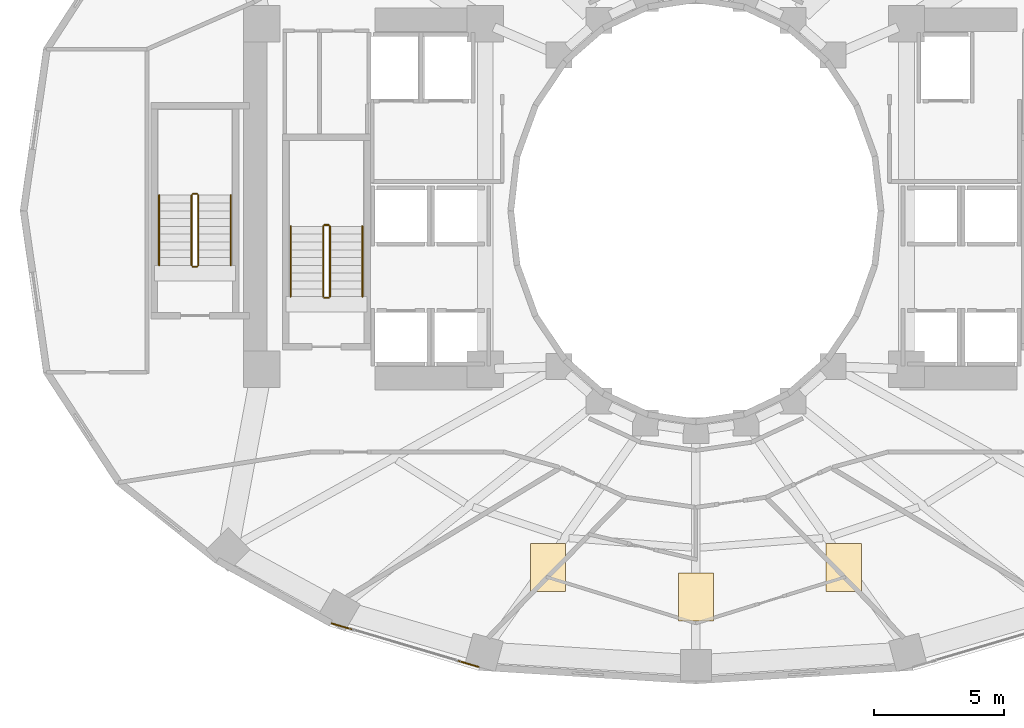
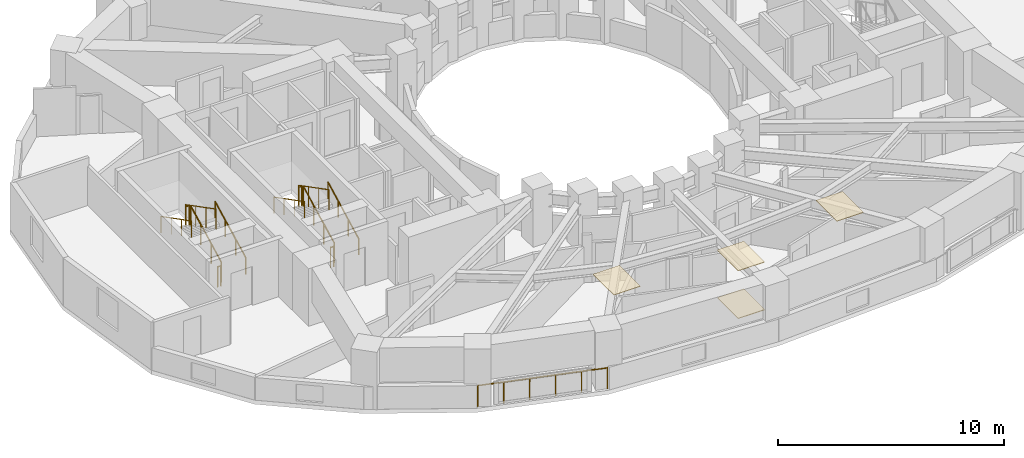
# One storey, part 19 of 22: 13 railings, 4 coverings.
"""IFC4 building model written with IfcOpenShell, lengths in metres."""

from ifc_helpers import new_model, si_unit, direction, frame, origin, origin_2d, place, context, subcontext, project, spatial, polyline, circle, outline, extrude, material, layer, layer_set, type_object, element, save


model = new_model("IFC4")

# Units and contexts
model_context = context("Model", 3, precision=1e-05, world=origin(), true_north=direction((0.0, 1.0)))
body_context = subcontext(model_context, "Body", "Model", "MODEL_VIEW")
ifc_project = project(units=[si_unit("LENGTHUNIT", "METRE"), si_unit("AREAUNIT", "SQUARE_METRE"), si_unit("VOLUMEUNIT", "CUBIC_METRE"), si_unit("PLANEANGLEUNIT", "RADIAN"), si_unit("MASSUNIT", "GRAM", prefix="KILO")], contexts=[model_context])

# Site, building, storey
site_placement = place(None, origin())
site = spatial("IfcSite", under=ifc_project, at=site_placement, CompositionType="ELEMENT")
building_placement = place(site_placement, origin())
building = spatial("IfcBuilding", under=site, at=building_placement, Name="Solvane Sanctuary Tower", CompositionType="ELEMENT")
storey_placement = place(building_placement, frame((0.0, 0.0, 43.10009765625)))
storey = spatial("IfcBuildingStorey", under=building, at=storey_placement, Name="L12", CompositionType="ELEMENT", Elevation=43.10009765625)

# Coverings
ifc_material_1 = material(Name="Acoustic Gypsum Partition Board")
ifc_layer_1 = layer(ifc_material_1, 0.02490234375, Name="Acoustic Gypsum Partition Board")
ifc_layer_set_1 = layer_set([ifc_layer_1], Name="Acoustic Gypsum Partition Board")
covering_type_1 = type_object("IfcCoveringType", Name="Covering CLG-ACOUST", PredefinedType="CEILING", material=ifc_layer_set_1)
covering_1_placement = place(storey_placement, frame((0.0, 0.0, 2.56982421875)))
element("IfcCovering", 1, at=covering_1_placement, inside=storey, type_object=covering_type_1, Name="L12 Unit Acoustic Ceiling Panel 4", PredefinedType="CEILING", context=body_context, shape_type="SweptSolid", body=[
    extrude(outline(polyline([(25.637939453125, 8.345947265625), (26.988037109375, 8.345947265625), (26.988037109375, 10.196044921875), (25.637939453125, 10.196044921875), (25.637939453125, 8.345947265625)])), origin(), (0.0, 0.0, 1.0), 0.030029296875),
])
covering_2_placement = place(storey_placement, frame((0.0, 0.0, 2.56982421875)))
element("IfcCovering", 2, at=covering_2_placement, inside=storey, type_object=covering_type_1, Name="L12 Unit Acoustic Ceiling Panel 5", PredefinedType="CEILING", context=body_context, shape_type="SweptSolid", body=[
    extrude(outline(polyline([(31.324951171875, 7.215087890625), (32.675048828125, 7.215087890625), (32.675048828125, 9.06494140625), (31.324951171875, 9.06494140625), (31.324951171875, 7.215087890625)])), origin(), (0.0, 0.0, 1.0), 0.030029296875),
])
covering_3_placement = place(storey_placement, frame((0.0, 0.0, 2.56982421875)))
element("IfcCovering", 3, at=covering_3_placement, inside=storey, type_object=covering_type_1, Name="L12 Unit Acoustic Ceiling Panel 6", PredefinedType="CEILING", context=body_context, shape_type="SweptSolid", body=[
    extrude(outline(polyline([(37.011962890625, 8.345947265625), (38.362060546875, 8.345947265625), (38.362060546875, 10.196044921875), (37.011962890625, 10.196044921875), (37.011962890625, 8.345947265625)])), origin(), (0.0, 0.0, 1.0), 0.030029296875),
])
ifc_material_2 = material(Name="Ceramic Tile Finish")
ifc_layer_2 = layer(ifc_material_2, 0.030029296875, Name="Ceramic Tile Finish")
ifc_layer_set_2 = layer_set([ifc_layer_2], Name="Ceramic Tile Finish")
covering_type_2 = type_object("IfcCoveringType", Name="Covering FLR-TERRAZZO", PredefinedType="FLOORING", material=ifc_layer_set_2)
covering_4_placement = place(storey_placement, origin())
element("IfcCovering", 4, at=covering_4_placement, inside=storey, type_object=covering_type_2, Name="L12 Unit Terrazzo Inlay 5", PredefinedType="FLOORING", context=body_context, shape_type="SweptSolid", body=[
    extrude(outline(polyline([(31.324951171875, 7.215087890625), (32.675048828125, 7.215087890625), (32.675048828125, 9.06494140625), (31.324951171875, 9.06494140625), (31.324951171875, 7.215087890625)])), origin(), (0.0, 0.0, 1.0), 0.034912109375),
])

# Railings
ifc_material_3 = material(Name="Architectural Stainless Steel 316", Category="steel")
railing_type_1 = type_object("IfcRailingType", Name="Railing GR-BALC-1150", PredefinedType="BALUSTRADE", material=ifc_material_3)
railing_1_placement = place(storey_placement, frame((17.98681640625, 7.12939453125, 0.0)))
element("IfcRailing", 5, at=railing_1_placement, inside=storey, type_object=railing_type_1, Name="L12 Curtain-Wall Perimeter Sill Guard 16", PredefinedType="BALUSTRADE", context=body_context, shape_type="SweptSolid", body=[
    extrude(circle(Radius=0.02392578125, at=origin_2d()), frame((0.0, 0.0, 1.1259765625), z_axis=(0.958844892166, -0.283930401274, 0.0), x_axis=(0.283930401274, 0.958844892166, 0.0)), (0.0, 0.0, 1.0), 5.895263671875),
    extrude(circle(Radius=0.02099609375, at=origin_2d()), origin(), (0.0, 0.0, 1.0), 1.101806640625),
    extrude(circle(Radius=0.02099609375, at=origin_2d()), frame((1.130615234375, -0.334716796875, 0.0)), (0.0, 0.0, 1.0), 1.101806640625),
    extrude(circle(Radius=0.02099609375, at=origin_2d()), frame((2.260986328125, -0.66943359375, 0.0)), (0.0, 0.0, 1.0), 1.101806640625),
    extrude(circle(Radius=0.02099609375, at=origin_2d()), frame((3.3916015625, -1.00439453125, 0.0)), (0.0, 0.0, 1.0), 1.101806640625),
    extrude(circle(Radius=0.02099609375, at=origin_2d()), frame((4.52197265625, -1.339111328125, 0.0)), (0.0, 0.0, 1.0), 1.101806640625),
    extrude(circle(Radius=0.02099609375, at=origin_2d()), frame((5.652587890625, -1.673828125, 0.0)), (0.0, 0.0, 1.0), 1.101806640625),
])
railing_2_placement = place(storey_placement, frame((17.919921875, 19.699951171875, 0.15478515625)))
element("IfcRailing", 6, at=railing_2_placement, inside=storey, type_object=railing_type_1, Name="L12 ST-1 stair guard 1", PredefinedType="BALUSTRADE", context=body_context, shape_type="SweptSolid", body=[
    extrude(circle(Radius=0.02392578125, at=origin_2d()), frame((0.0, 0.0, 1.076171875), z_axis=(0.0, 0.888419900624, 0.459031676658), x_axis=(-1.0, 0.0, 0.0)), (0.0, 0.0, 1.0), 3.0390625),
    extrude(circle(Radius=0.02099609375, at=origin_2d()), origin(), (0.0, 0.0, 1.0), 1.052001953125),
    extrude(circle(Radius=0.02099609375, at=origin_2d()), frame((0.0, 0.89990234375, 0.465087890625)), (0.0, 0.0, 1.0), 1.052001953125),
    extrude(circle(Radius=0.02099609375, at=origin_2d()), frame((0.0, 1.800048828125, 0.929931640625)), (0.0, 0.0, 1.0), 1.052001953125),
    extrude(circle(Radius=0.02099609375, at=origin_2d()), frame((0.0, 2.699951171875, 1.39501953125)), (0.0, 0.0, 1.0), 1.052001953125),
])
railing_3_placement = place(storey_placement, frame((17.8701171875, 22.449951171875, 1.5498046875)))
element("IfcRailing", 7, at=railing_3_placement, inside=storey, type_object=railing_type_1, Name="L12 ST-1 stair guard 2", PredefinedType="BALUSTRADE", context=body_context, shape_type="SweptSolid", body=[
    extrude(circle(Radius=0.02392578125, at=origin_2d()), frame((0.0, 0.0, 1.076171875), z_axis=(-1.0, 0.0, 0.0), x_axis=(0.0, -1.0, 0.0)), (0.0, 0.0, 1.0), 0.16015625),
    extrude(circle(Radius=0.02099609375, at=origin_2d()), origin(), (0.0, 0.0, 1.0), 1.052001953125),
    extrude(circle(Radius=0.02099609375, at=origin_2d()), frame((-0.16015625, 0.0, 0.0)), (0.0, 0.0, 1.0), 1.052001953125),
])
railing_4_placement = place(storey_placement, frame((17.659912109375, 22.39990234375, 1.704833984375)))
element("IfcRailing", 8, at=railing_4_placement, inside=storey, type_object=railing_type_1, Name="L12 ST-1 stair guard 3", PredefinedType="BALUSTRADE", context=body_context, shape_type="SweptSolid", body=[
    extrude(circle(Radius=0.02392578125, at=origin_2d()), frame((0.0, 0.0, 1.076171875), z_axis=(0.0, -0.888419900624, 0.459031676658), x_axis=(1.0, 0.0, 0.0)), (0.0, 0.0, 1.0), 3.0390625),
    extrude(circle(Radius=0.02099609375, at=origin_2d()), origin(), (0.0, 0.0, 1.0), 1.052001953125),
    extrude(circle(Radius=0.02099609375, at=origin_2d()), frame((0.0, -0.89990234375, 0.465087890625)), (0.0, 0.0, 1.0), 1.052001953125),
    extrude(circle(Radius=0.02099609375, at=origin_2d()), frame((0.0, -1.800048828125, 0.929931640625)), (0.0, 0.0, 1.0), 1.052001953125),
    extrude(circle(Radius=0.02099609375, at=origin_2d()), frame((0.0, -2.699951171875, 1.39501953125)), (0.0, 0.0, 1.0), 1.052001953125),
])
railing_5_placement = place(storey_placement, frame((17.8701171875, 19.64990234375, 0.0)))
element("IfcRailing", 9, at=railing_5_placement, inside=storey, type_object=railing_type_1, Name="L12 ST-1 stair guard 4", PredefinedType="BALUSTRADE", context=body_context, shape_type="SweptSolid", body=[
    extrude(circle(Radius=0.02392578125, at=origin_2d()), frame((0.0, 0.0, 1.076171875), z_axis=(-1.0, 0.0, 0.0), x_axis=(0.0, -1.0, 0.0)), (0.0, 0.0, 1.0), 0.16015625),
    extrude(circle(Radius=0.02099609375, at=origin_2d()), origin(), (0.0, 0.0, 1.0), 1.052001953125),
    extrude(circle(Radius=0.02099609375, at=origin_2d()), frame((-0.16015625, 0.0, 0.0)), (0.0, 0.0, 1.0), 1.052001953125),
])
railing_6_placement = place(storey_placement, frame((12.860107421875, 20.89990234375, 0.15478515625)))
element("IfcRailing", 10, at=railing_6_placement, inside=storey, type_object=railing_type_1, Name="L12 ST-3 stair guard 1", PredefinedType="BALUSTRADE", context=body_context, shape_type="SweptSolid", body=[
    extrude(circle(Radius=0.02392578125, at=origin_2d()), frame((0.0, 0.0, 1.076171875), z_axis=(0.0, 0.888436826113, 0.458998917216), x_axis=(-1.0, 0.0, 0.0)), (0.0, 0.0, 1.0), 3.039306640625),
    extrude(circle(Radius=0.02099609375, at=origin_2d()), origin(), (0.0, 0.0, 1.0), 1.052001953125),
    extrude(circle(Radius=0.02099609375, at=origin_2d()), frame((0.0, 0.900146484375, 0.465087890625)), (0.0, 0.0, 1.0), 1.052001953125),
    extrude(circle(Radius=0.02099609375, at=origin_2d()), frame((0.0, 1.800048828125, 0.929931640625)), (0.0, 0.0, 1.0), 1.052001953125),
    extrude(circle(Radius=0.02099609375, at=origin_2d()), frame((0.0, 2.7001953125, 1.39501953125)), (0.0, 0.0, 1.0), 1.052001953125),
])
railing_7_placement = place(storey_placement, frame((12.81005859375, 23.64990234375, 1.5498046875)))
element("IfcRailing", 11, at=railing_7_placement, inside=storey, type_object=railing_type_1, Name="L12 ST-3 stair guard 2", PredefinedType="BALUSTRADE", context=body_context, shape_type="SweptSolid", body=[
    extrude(circle(Radius=0.02392578125, at=origin_2d()), frame((0.0, 0.0, 1.076171875), z_axis=(-1.0, 0.0, 0.0), x_axis=(0.0, -1.0, 0.0)), (0.0, 0.0, 1.0), 0.16015625),
    extrude(circle(Radius=0.02099609375, at=origin_2d()), origin(), (0.0, 0.0, 1.0), 1.052001953125),
    extrude(circle(Radius=0.02099609375, at=origin_2d()), frame((-0.16015625, 0.0, 0.0)), (0.0, 0.0, 1.0), 1.052001953125),
])
railing_8_placement = place(storey_placement, frame((12.60009765625, 23.60009765625, 1.704833984375)))
element("IfcRailing", 12, at=railing_8_placement, inside=storey, type_object=railing_type_1, Name="L12 ST-3 stair guard 3", PredefinedType="BALUSTRADE", context=body_context, shape_type="SweptSolid", body=[
    extrude(circle(Radius=0.02392578125, at=origin_2d()), frame((0.0, 0.0, 1.076171875), z_axis=(0.0, -0.888436826113, 0.458998917216), x_axis=(1.0, 0.0, 0.0)), (0.0, 0.0, 1.0), 3.039306640625),
    extrude(circle(Radius=0.02099609375, at=origin_2d()), origin(), (0.0, 0.0, 1.0), 1.052001953125),
    extrude(circle(Radius=0.02099609375, at=origin_2d()), frame((0.0, -0.900146484375, 0.465087890625)), (0.0, 0.0, 1.0), 1.052001953125),
    extrude(circle(Radius=0.02099609375, at=origin_2d()), frame((0.0, -1.800048828125, 0.929931640625)), (0.0, 0.0, 1.0), 1.052001953125),
    extrude(circle(Radius=0.02099609375, at=origin_2d()), frame((0.0, -2.7001953125, 1.39501953125)), (0.0, 0.0, 1.0), 1.052001953125),
])
railing_9_placement = place(storey_placement, frame((12.81005859375, 20.85009765625, 0.0)))
element("IfcRailing", 13, at=railing_9_placement, inside=storey, type_object=railing_type_1, Name="L12 ST-3 stair guard 4", PredefinedType="BALUSTRADE", context=body_context, shape_type="SweptSolid", body=[
    extrude(circle(Radius=0.02392578125, at=origin_2d()), frame((0.0, 0.0, 1.076171875), z_axis=(-1.0, 0.0, 0.0), x_axis=(0.0, -1.0, 0.0)), (0.0, 0.0, 1.0), 0.16015625),
    extrude(circle(Radius=0.02099609375, at=origin_2d()), origin(), (0.0, 0.0, 1.0), 1.052001953125),
    extrude(circle(Radius=0.02099609375, at=origin_2d()), frame((-0.16015625, 0.0, 0.0)), (0.0, 0.0, 1.0), 1.052001953125),
])
railing_type_2 = type_object("IfcRailingType", Name="Railing HR-STAIR-920", PredefinedType="HANDRAIL", material=ifc_material_3)
railing_10_placement = place(storey_placement, frame((19.169921875, 19.699951171875, 0.15478515625)))
element("IfcRailing", 14, at=railing_10_placement, inside=storey, type_object=railing_type_2, Name="L12 ST-1 stair handrail 1", PredefinedType="HANDRAIL", context=body_context, shape_type="SweptSolid", body=[
    extrude(circle(Radius=0.02392578125, at=origin_2d()), frame((0.0, 0.0, 0.8759765625), z_axis=(0.0, 0.888419900624, 0.459031676658), x_axis=(-1.0, 0.0, 0.0)), (0.0, 0.0, 1.0), 3.0390625),
    extrude(circle(Radius=0.02099609375, at=origin_2d()), origin(), (0.0, 0.0, 1.0), 0.851806640625),
    extrude(circle(Radius=0.02099609375, at=origin_2d()), frame((0.0, 0.89990234375, 0.465087890625)), (0.0, 0.0, 1.0), 0.851806640625),
    extrude(circle(Radius=0.02099609375, at=origin_2d()), frame((0.0, 1.800048828125, 0.929931640625)), (0.0, 0.0, 1.0), 0.851806640625),
    extrude(circle(Radius=0.02099609375, at=origin_2d()), frame((0.0, 2.699951171875, 1.39501953125)), (0.0, 0.0, 1.0), 0.851806640625),
])
railing_11_placement = place(storey_placement, frame((16.409912109375, 22.39990234375, 1.704833984375)))
element("IfcRailing", 15, at=railing_11_placement, inside=storey, type_object=railing_type_2, Name="L12 ST-1 stair handrail 2", PredefinedType="HANDRAIL", context=body_context, shape_type="SweptSolid", body=[
    extrude(circle(Radius=0.02392578125, at=origin_2d()), frame((0.0, 0.0, 0.8759765625), z_axis=(0.0, -0.888419900624, 0.459031676658), x_axis=(1.0, 0.0, 0.0)), (0.0, 0.0, 1.0), 3.0390625),
    extrude(circle(Radius=0.02099609375, at=origin_2d()), origin(), (0.0, 0.0, 1.0), 0.851806640625),
    extrude(circle(Radius=0.02099609375, at=origin_2d()), frame((0.0, -0.89990234375, 0.465087890625)), (0.0, 0.0, 1.0), 0.851806640625),
    extrude(circle(Radius=0.02099609375, at=origin_2d()), frame((0.0, -1.800048828125, 0.929931640625)), (0.0, 0.0, 1.0), 0.851806640625),
    extrude(circle(Radius=0.02099609375, at=origin_2d()), frame((0.0, -2.699951171875, 1.39501953125)), (0.0, 0.0, 1.0), 0.851806640625),
])
railing_12_placement = place(storey_placement, frame((14.110107421875, 20.89990234375, 0.15478515625)))
element("IfcRailing", 16, at=railing_12_placement, inside=storey, type_object=railing_type_2, Name="L12 ST-3 stair handrail 1", PredefinedType="HANDRAIL", context=body_context, shape_type="SweptSolid", body=[
    extrude(circle(Radius=0.02392578125, at=origin_2d()), frame((0.0, 0.0, 0.8759765625), z_axis=(0.0, 0.888436826113, 0.458998917216), x_axis=(-1.0, 0.0, 0.0)), (0.0, 0.0, 1.0), 3.039306640625),
    extrude(circle(Radius=0.02099609375, at=origin_2d()), origin(), (0.0, 0.0, 1.0), 0.851806640625),
    extrude(circle(Radius=0.02099609375, at=origin_2d()), frame((0.0, 0.900146484375, 0.465087890625)), (0.0, 0.0, 1.0), 0.851806640625),
    extrude(circle(Radius=0.02099609375, at=origin_2d()), frame((0.0, 1.800048828125, 0.929931640625)), (0.0, 0.0, 1.0), 0.851806640625),
    extrude(circle(Radius=0.02099609375, at=origin_2d()), frame((0.0, 2.7001953125, 1.39501953125)), (0.0, 0.0, 1.0), 0.851806640625),
])
railing_13_placement = place(storey_placement, frame((11.35009765625, 23.60009765625, 1.704833984375)))
element("IfcRailing", 17, at=railing_13_placement, inside=storey, type_object=railing_type_2, Name="L12 ST-3 stair handrail 2", PredefinedType="HANDRAIL", context=body_context, shape_type="SweptSolid", body=[
    extrude(circle(Radius=0.02392578125, at=origin_2d()), frame((0.0, 0.0, 0.8759765625), z_axis=(0.0, -0.888436826113, 0.458998917216), x_axis=(1.0, 0.0, 0.0)), (0.0, 0.0, 1.0), 3.039306640625),
    extrude(circle(Radius=0.02099609375, at=origin_2d()), origin(), (0.0, 0.0, 1.0), 0.851806640625),
    extrude(circle(Radius=0.02099609375, at=origin_2d()), frame((0.0, -0.900146484375, 0.465087890625)), (0.0, 0.0, 1.0), 0.851806640625),
    extrude(circle(Radius=0.02099609375, at=origin_2d()), frame((0.0, -1.800048828125, 0.929931640625)), (0.0, 0.0, 1.0), 0.851806640625),
    extrude(circle(Radius=0.02099609375, at=origin_2d()), frame((0.0, -2.7001953125, 1.39501953125)), (0.0, 0.0, 1.0), 0.851806640625),
])

save(model, "model.ifc")
